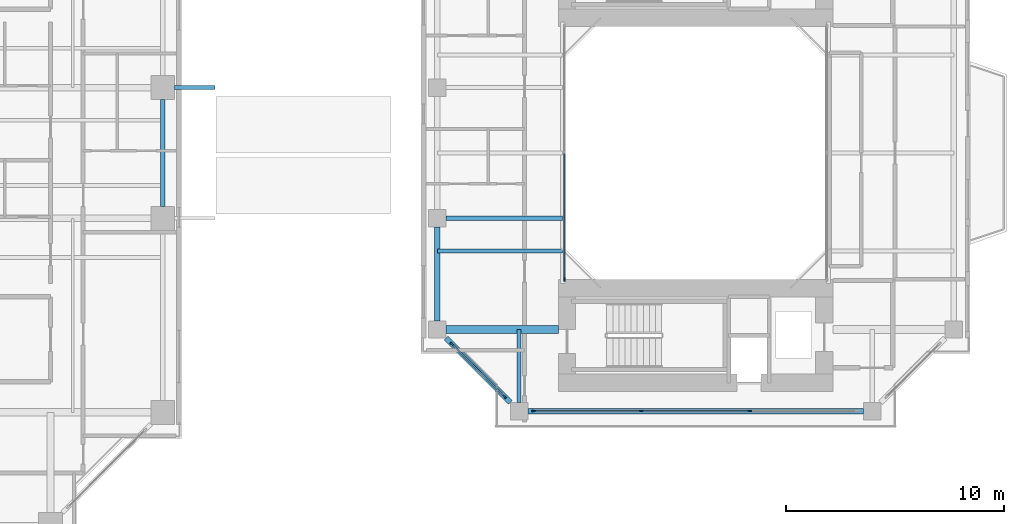
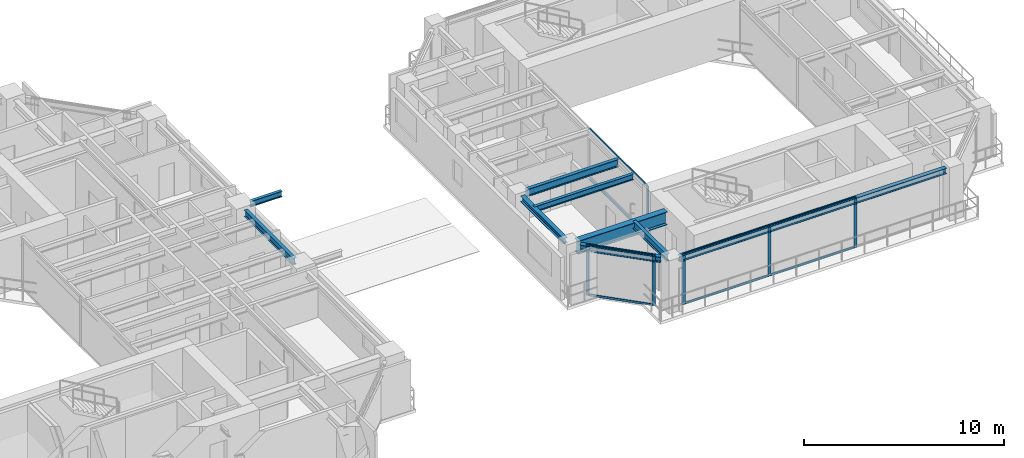
# One storey, part 7 of 23: 14 members, 9 beams, 3 elements without a shape of their own.
"""IFC4 building model written with IfcOpenShell, lengths in metres."""

from ifc_helpers import new_model, si_unit, direction, frame, origin, origin_2d, place, context, subcontext, project, spatial, rectangle, i_section, extrude, source, transform, mapped, material, layer, layer_set, material_profile, profile_set, type_object, element, aggregate, save


model = new_model("IFC4")

# Units and contexts
model_context = context("Model", 3, precision=1e-05, world=origin(), true_north=direction((0.0, 1.0)))
body_context = subcontext(model_context, "Body", "Model", "MODEL_VIEW")
ifc_project = project(units=[si_unit("LENGTHUNIT", "METRE"), si_unit("AREAUNIT", "SQUARE_METRE"), si_unit("VOLUMEUNIT", "CUBIC_METRE"), si_unit("PLANEANGLEUNIT", "RADIAN"), si_unit("MASSUNIT", "GRAM", prefix="KILO"), si_unit("THERMODYNAMICTEMPERATUREUNIT", "KELVIN"), si_unit("POWERUNIT", "WATT")], contexts=[model_context])

# Site, building, storey
site_placement = place(None, origin())
site = spatial("IfcSite", under=ifc_project, at=site_placement, CompositionType="ELEMENT")
building_placement = place(site_placement, origin())
building = spatial("IfcBuilding", under=site, at=building_placement, Name="Qiaomeng Ring Towers", CompositionType="ELEMENT")
storey_placement = place(building_placement, frame((0.0, 0.0, 97.0)))
storey = spatial("IfcBuildingStorey", under=building, at=storey_placement, Name="L27", CompositionType="ELEMENT", Elevation=97.0)

# Beams
ifc_material_1 = material(Name="Steel Q355B", Category="steel")
ifc_material_profile_1 = material_profile(ifc_material_1, i_section(OverallWidth=0.25, OverallDepth=0.340087890625, WebThickness=0.009033203125, FlangeThickness=0.013916015625, FilletRadius=0.02001953125, at=origin_2d()), Name="HM 340x250x9x14")
ifc_profile_set_1 = profile_set([ifc_material_profile_1], Name="Steel Q355B")
beam_type_1 = type_object("IfcBeamType", Name="STR-BM-HM340", PredefinedType="SPANDREL", material=ifc_profile_set_1)
shared_shape_1 = source(origin(), body_context, "Body", "SweptSolid", [
    extrude(i_section(OverallWidth=0.25, OverallDepth=0.340087890625, WebThickness=0.009033203125, FlangeThickness=0.013916015625, FilletRadius=0.02001953125, at=origin_2d()), origin(), (0.0, 0.0, 1.0), 15.40185546875),
])
beam_1_placement = place(storey_placement, frame((52.799072265625, 11.14990234375, 2.89990234375), z_axis=(1.0, 0.0, 0.0), x_axis=(0.0, 1.0, 0.0)))
element("IfcBeam", 1, at=beam_1_placement, inside=storey, type_object=beam_type_1, Name="L27 beam STR-SP-L27-T2-S1-S2", PredefinedType="SPANDREL", context=body_context, shape_type="MappedRepresentation", body=[
    mapped(shared_shape_1, transform((0.0, 0.0, 0.0), x_axis=(1.0, 0.0, 0.0), y_axis=(0.0, 1.0, 0.0), z_axis=(0.0, 0.0, 1.0), scale=1.0)),
])
shared_shape_2 = source(origin(), body_context, "Body", "SweptSolid", [
    extrude(i_section(OverallWidth=0.25, OverallDepth=0.340087890625, WebThickness=0.009033203125, FlangeThickness=0.013916015625, FilletRadius=0.02001953125, at=origin_2d()), origin(), (0.0, 0.0, 1.0), 4.173828125),
])
beam_2_placement = place(storey_placement, frame((49.04931640625, 14.500732421875, 2.89990234375), z_axis=(0.707106781187, -0.707106781187, 0.0), x_axis=(0.707106781187, 0.707106781187, 0.0)))
element("IfcBeam", 2, at=beam_2_placement, inside=storey, type_object=beam_type_1, Name="L27 beam STR-SP-L27-T2-W1-S1", PredefinedType="SPANDREL", context=body_context, shape_type="MappedRepresentation", body=[
    mapped(shared_shape_2, transform((0.0, 0.0, 0.0), x_axis=(1.0, 0.0, 0.0), y_axis=(0.0, 1.0, 0.0), z_axis=(0.0, 0.0, 1.0), scale=1.0)),
])
shared_shape_3 = source(origin(), body_context, "Body", "SweptSolid", [
    extrude(i_section(OverallWidth=0.25, OverallDepth=0.340087890625, WebThickness=0.009033203125, FlangeThickness=0.013916015625, FilletRadius=0.02001953125, at=origin_2d()), origin(), (0.0, 0.0, 1.0), 4.302001953125),
])
beam_3_placement = place(storey_placement, frame((48.64990234375, 19.60107421875, 2.89990234375), z_axis=(0.0, -1.0, 0.0), x_axis=(1.0, 0.0, 0.0)))
element("IfcBeam", 3, at=beam_3_placement, inside=storey, type_object=beam_type_1, Name="L27 beam STR-SP-L27-T2-W2-W1", PredefinedType="SPANDREL", context=body_context, shape_type="MappedRepresentation", body=[
    mapped(shared_shape_3, transform((0.0, 0.0, 0.0), x_axis=(1.0, 0.0, 0.0), y_axis=(0.0, 1.0, 0.0), z_axis=(0.0, 0.0, 1.0), scale=1.0)),
])
ifc_material_2 = material(Name="Steel Q390GJC", Category="steel")
ifc_material_profile_2 = material_profile(ifc_material_2, i_section(OverallWidth=0.35009765625, OverallDepth=0.800048828125, WebThickness=0.01611328125, FlangeThickness=0.028076171875, at=origin_2d()), Name="WH 800x350x16x28")
ifc_profile_set_2 = profile_set([ifc_material_profile_2], Name="Steel Q390GJC")
beam_type_2 = type_object("IfcBeamType", Name="STR-BM-WH800", PredefinedType="BEAM", material=ifc_profile_set_2)
shared_shape_4 = source(origin(), body_context, "Body", "SweptSolid", [
    extrude(i_section(OverallWidth=0.35009765625, OverallDepth=0.800048828125, WebThickness=0.01611328125, FlangeThickness=0.028076171875, at=origin_2d()), origin(), (0.0, 0.0, 1.0), 5.15087890625),
])
beam_4_placement = place(storey_placement, frame((49.049072265625, 14.89990234375, 2.669921875), z_axis=(1.0, 0.0, 0.0), x_axis=(0.0, 1.0, 0.0)))
element("IfcBeam", 4, at=beam_4_placement, inside=storey, type_object=beam_type_2, Name="L27 beam STR-BM-L27-T2-RAD-W1", PredefinedType="BEAM", context=body_context, shape_type="MappedRepresentation", body=[
    mapped(shared_shape_4, transform((0.0, 0.0, 0.0), x_axis=(1.0, 0.0, 0.0), y_axis=(0.0, 1.0, 0.0), z_axis=(0.0, 0.0, 1.0), scale=1.0)),
])
ifc_material_profile_3 = material_profile(ifc_material_1, i_section(OverallWidth=0.199951171875, OverallDepth=0.449951171875, WebThickness=0.009033203125, FlangeThickness=0.013916015625, FilletRadius=0.01806640625, at=origin_2d()), Name="HN 450x200x9x14")
ifc_profile_set_3 = profile_set([ifc_material_profile_3], Name="Steel Q355B")
beam_type_3 = type_object("IfcBeamType", Name="STR-BM-HN450", PredefinedType="SPANDREL", material=ifc_profile_set_3)
shared_shape_5 = source(origin(), body_context, "Body", "SweptSolid", [
    extrude(i_section(OverallWidth=0.199951171875, OverallDepth=0.449951171875, WebThickness=0.009033203125, FlangeThickness=0.013916015625, FilletRadius=0.01806640625, at=origin_2d()), origin(), (0.0, 0.0, 1.0), 5.350830078125),
])
beam_5_placement = place(storey_placement, frame((49.049072265625, 20.0, 2.844970703125), z_axis=(1.0, 0.0, 0.0), x_axis=(0.0, 1.0, 0.0)))
element("IfcBeam", 5, at=beam_5_placement, inside=storey, type_object=beam_type_3, Name="L27 beam STR-BM-L27-T2-RAD-W2", PredefinedType="SPANDREL", context=body_context, shape_type="MappedRepresentation", body=[
    mapped(shared_shape_5, transform((0.0, 0.0, 0.0), x_axis=(1.0, 0.0, 0.0), y_axis=(0.0, 1.0, 0.0), z_axis=(0.0, 0.0, 1.0), scale=1.0)),
])
shared_shape_6 = source(origin(), body_context, "Body", "SweptSolid", [
    extrude(i_section(OverallWidth=0.199951171875, OverallDepth=0.449951171875, WebThickness=0.009033203125, FlangeThickness=0.013916015625, FilletRadius=0.01806640625, at=origin_2d()), origin(), (0.0, 0.0, 1.0), 3.350830078125),
])
beam_6_placement = place(storey_placement, frame((52.39990234375, 11.549072265625, 2.844970703125), z_axis=(0.0, 1.0, 0.0), x_axis=(-1.0, 0.0, 0.0)))
element("IfcBeam", 6, at=beam_6_placement, inside=storey, type_object=beam_type_3, Name="L27 beam STR-BM-L27-T2-RAD-S1", PredefinedType="SPANDREL", context=body_context, shape_type="MappedRepresentation", body=[
    mapped(shared_shape_6, transform((0.0, 0.0, 0.0), x_axis=(1.0, 0.0, 0.0), y_axis=(0.0, 1.0, 0.0), z_axis=(0.0, 0.0, 1.0), scale=1.0)),
])
ifc_material_profile_4 = material_profile(ifc_material_1, i_section(OverallWidth=0.175048828125, OverallDepth=0.35009765625, WebThickness=0.007080078125, FlangeThickness=0.010986328125, FilletRadius=0.013916015625, at=origin_2d()), Name="HN 350x175x7x11")
ifc_profile_set_4 = profile_set([ifc_material_profile_4], Name="Steel Q355B")
beam_type_4 = type_object("IfcBeamType", Name="STR-BM-HN350", PredefinedType="JOIST", material=ifc_profile_set_4)
shared_shape_7 = source(origin(), body_context, "Body", "SweptSolid", [
    extrude(i_section(OverallWidth=0.175048828125, OverallDepth=0.35009765625, WebThickness=0.007080078125, FlangeThickness=0.010986328125, FilletRadius=0.013916015625, at=origin_2d()), origin(), (0.0, 0.0, 1.0), 5.75),
])
beam_7_placement = place(storey_placement, frame((48.64990234375, 18.5, 2.89501953125), z_axis=(1.0, 0.0, 0.0), x_axis=(0.0, 1.0, 0.0)))
element("IfcBeam", 7, at=beam_7_placement, inside=storey, type_object=beam_type_4, Name="L27 beam STR-JST-L27-T2W-1", PredefinedType="JOIST", context=body_context, shape_type="MappedRepresentation", body=[
    mapped(shared_shape_7, transform((0.0, 0.0, 0.0), x_axis=(1.0, 0.0, 0.0), y_axis=(0.0, 1.0, 0.0), z_axis=(0.0, 0.0, 1.0), scale=1.0)),
])
ifc_material_profile_5 = material_profile(ifc_material_1, i_section(OverallWidth=0.199951171875, OverallDepth=0.39990234375, WebThickness=0.008056640625, FlangeThickness=0.012939453125, FilletRadius=0.01611328125, at=origin_2d()), Name="HN 400x200x8x13")
ifc_profile_set_5 = profile_set([ifc_material_profile_5], Name="Steel Q355B")
beam_type_5 = type_object("IfcBeamType", Name="STR-BM-HN400", PredefinedType="SPANDREL", material=ifc_profile_set_5)
shared_shape_8 = source(origin(), body_context, "Body", "SweptSolid", [
    extrude(i_section(OverallWidth=0.199951171875, OverallDepth=0.39990234375, WebThickness=0.008056640625, FlangeThickness=0.012939453125, FilletRadius=0.01611328125, at=origin_2d()), origin(), (0.0, 0.0, 1.0), 4.90185546875),
])
beam_8_placement = place(storey_placement, frame((36.050048828125, 20.549072265625, 2.8701171875), z_axis=(0.0, 1.0, 0.0), x_axis=(-1.0, 0.0, 0.0)))
element("IfcBeam", 8, at=beam_8_placement, inside=storey, type_object=beam_type_5, Name="L27 beam STR-SP-L27-T1-E2-E3", PredefinedType="SPANDREL", context=body_context, shape_type="MappedRepresentation", body=[
    mapped(shared_shape_8, transform((0.0, 0.0, 0.0), x_axis=(1.0, 0.0, 0.0), y_axis=(0.0, 1.0, 0.0), z_axis=(0.0, 0.0, 1.0), scale=1.0)),
])
shared_shape_9 = source(origin(), body_context, "Body", "SweptSolid", [
    extrude(i_section(OverallWidth=0.175048828125, OverallDepth=0.35009765625, WebThickness=0.007080078125, FlangeThickness=0.010986328125, FilletRadius=0.013916015625, at=origin_2d()), origin(), (0.0, 0.0, 1.0), 1.8408203125),
])
beam_9_placement = place(storey_placement, frame((36.59912109375, 26.0, 2.89501953125), z_axis=(1.0, 0.0, 0.0), x_axis=(0.0, 1.0, 0.0)))
element("IfcBeam", 9, at=beam_9_placement, inside=storey, type_object=beam_type_4, Name="L27 beam STR-BALBM-L27-E3", PredefinedType="JOIST", context=body_context, shape_type="MappedRepresentation", body=[
    mapped(shared_shape_9, transform((0.0, 0.0, 0.0), x_axis=(1.0, 0.0, 0.0), y_axis=(0.0, 1.0, 0.0), z_axis=(0.0, 0.0, 1.0), scale=1.0)),
])

# Curtain wall, members
ifc_material_3 = material(Name="Fluorocarbon dark-grey aluminium", Category="aluminium")
ifc_layer_1 = layer(ifc_material_3, 0.139892578125, Name="Fluorocarbon dark-grey aluminium")
ifc_layer_set_1 = layer_set([ifc_layer_1], Name="Fluorocarbon dark-grey aluminium")
curtain_wall_type_1 = type_object("IfcCurtainWallType", Name="ARC-CW-4", PredefinedType="NOTDEFINED", material=ifc_layer_set_1)
curtain_wall_1_placement = place(storey_placement, origin())
curtain_wall_1 = element("IfcCurtainWall", 10, at=curtain_wall_1_placement, inside=storey, type_object=curtain_wall_type_1, Name="L27 Curtain Wall CW4", PredefinedType="NOTDEFINED")
ifc_material_profile_6 = material_profile(ifc_material_3, rectangle(XDim=0.06494140625, YDim=0.159912109375, at=origin_2d()), Name="ALU MULL 65x160")
ifc_profile_set_6 = profile_set([ifc_material_profile_6], Name="Fluorocarbon dark-grey aluminium")
member_type_1 = type_object("IfcMemberType", Name="ARC-CWM-140", PredefinedType="MULLION", material=ifc_profile_set_6)
shared_shape_10 = source(origin(), body_context, "Body", "SweptSolid", [
    extrude(rectangle(XDim=0.06494140625, YDim=0.159912109375, at=origin_2d()), origin(), (0.0, 0.0, 1.0), 3.070068359375),
])
member_1_placement = place(storey_placement, frame((54.47998046875, 17.1826171875, 0.0), z_axis=(0.0, 0.0, 1.0), x_axis=(-1.0, 0.0, 0.0)))
member_1 = element("IfcMember", 11, at=member_1_placement, type_object=member_type_1, Name="CW4 mullion 1", PredefinedType="MULLION", context=body_context, shape_type="MappedRepresentation", body=[
    mapped(shared_shape_10, transform((0.0, 0.0, 0.0), x_axis=(1.0, 0.0, 0.0), y_axis=(0.0, 1.0, 0.0), z_axis=(0.0, 0.0, 1.0), scale=1.0)),
])
ifc_material_profile_7 = material_profile(ifc_material_3, rectangle(XDim=0.06494140625, YDim=0.1298828125, at=origin_2d()), Name="ALU TRAN 65x130")
ifc_profile_set_7 = profile_set([ifc_material_profile_7], Name="Fluorocarbon dark-grey aluminium")
member_type_2 = type_object("IfcMemberType", Name="ARC-CWT-120", PredefinedType="USERDEFINED", material=ifc_profile_set_7)
shared_shape_11 = source(origin(), body_context, "Body", "SweptSolid", [
    extrude(rectangle(XDim=0.06494140625, YDim=0.1298828125, at=origin_2d()), origin(), (0.0, 0.0, 1.0), 5.75244140625),
])
member_2_placement = place(storey_placement, frame((54.47998046875, 17.215087890625, 0.032470703125), z_axis=(0.0, 1.0, 0.0), x_axis=(-1.0, 0.0, 0.0)))
member_2 = element("IfcMember", 12, at=member_2_placement, type_object=member_type_2, Name="CW4 transom 1.1", ObjectType="TRANSOM", PredefinedType="USERDEFINED", context=body_context, shape_type="MappedRepresentation", body=[
    mapped(shared_shape_11, transform((0.0, 0.0, 0.0), x_axis=(1.0, 0.0, 0.0), y_axis=(0.0, 1.0, 0.0), z_axis=(0.0, 0.0, 1.0), scale=1.0)),
])
member_3_placement = place(storey_placement, frame((54.47998046875, 17.215087890625, 3.03759765625), z_axis=(0.0, 1.0, 0.0), x_axis=(-1.0, 0.0, 0.0)))
member_3 = element("IfcMember", 13, at=member_3_placement, type_object=member_type_2, Name="CW4 transom 1.2", ObjectType="TRANSOM", PredefinedType="USERDEFINED", context=body_context, shape_type="MappedRepresentation", body=[
    mapped(shared_shape_11, transform((0.0, 0.0, 0.0), x_axis=(1.0, 0.0, 0.0), y_axis=(0.0, 1.0, 0.0), z_axis=(0.0, 0.0, 1.0), scale=1.0)),
])
aggregate(curtain_wall_1, [member_1, member_2, member_3])

ifc_layer_2 = layer(ifc_material_3, 0.14990234375, Name="Fluorocarbon dark-grey aluminium")
ifc_layer_set_2 = layer_set([ifc_layer_2], Name="Fluorocarbon dark-grey aluminium")
curtain_wall_type_2 = type_object("IfcCurtainWallType", Name="ARC-CW-5", PredefinedType="NOTDEFINED", material=ifc_layer_set_2)
curtain_wall_2_placement = place(storey_placement, origin())
curtain_wall_2 = element("IfcCurtainWall", 14, at=curtain_wall_2_placement, inside=storey, type_object=curtain_wall_type_2, Name="L27 Curtain Wall CW5", PredefinedType="NOTDEFINED")
ifc_material_profile_8 = material_profile(ifc_material_3, rectangle(XDim=0.070068359375, YDim=0.179931640625, at=origin_2d()), Name="ALU MULL 70x180")
ifc_profile_set_8 = profile_set([ifc_material_profile_8], Name="Fluorocarbon dark-grey aluminium")
member_type_3 = type_object("IfcMemberType", Name="ARC-CWM-160", PredefinedType="MULLION", material=ifc_profile_set_8)
shared_shape_12 = source(origin(), body_context, "Body", "SweptSolid", [
    extrude(rectangle(XDim=0.070068359375, YDim=0.179931640625, at=origin_2d()), origin(), (0.0, 0.0, 1.0), 3.070068359375),
])
member_4_placement = place(storey_placement, frame((49.314697265625, 14.2353515625, 0.0), z_axis=(0.0, 0.0, 1.0), x_axis=(0.707106781187, 0.707106781187, 0.0)))
member_4 = element("IfcMember", 15, at=member_4_placement, type_object=member_type_3, Name="CW5 mullion 1", PredefinedType="MULLION", context=body_context, shape_type="MappedRepresentation", body=[
    mapped(shared_shape_12, transform((0.0, 0.0, 0.0), x_axis=(1.0, 0.0, 0.0), y_axis=(0.0, 1.0, 0.0), z_axis=(0.0, 0.0, 1.0), scale=1.0)),
])
member_5_placement = place(storey_placement, frame((51.7353515625, 11.814697265625, 0.0), z_axis=(0.0, 0.0, 1.0), x_axis=(0.707106781187, 0.707106781187, 0.0)))
member_5 = element("IfcMember", 16, at=member_5_placement, type_object=member_type_3, Name="CW5 mullion 2", PredefinedType="MULLION", context=body_context, shape_type="MappedRepresentation", body=[
    mapped(shared_shape_12, transform((0.0, 0.0, 0.0), x_axis=(1.0, 0.0, 0.0), y_axis=(0.0, 1.0, 0.0), z_axis=(0.0, 0.0, 1.0), scale=1.0)),
])

curtain_wall_3_placement = place(storey_placement, origin())
curtain_wall_3 = element("IfcCurtainWall", 17, at=curtain_wall_3_placement, inside=storey, type_object=curtain_wall_type_2, Name="L27 Curtain Wall CW5", PredefinedType="NOTDEFINED")
member_6_placement = place(storey_placement, frame((53.074951171875, 11.14990234375, 0.0), z_axis=(0.0, 0.0, 1.0), x_axis=(0.0, 1.0, 0.0)))
member_6 = element("IfcMember", 18, at=member_6_placement, type_object=member_type_3, Name="CW5 mullion 1", PredefinedType="MULLION", context=body_context, shape_type="MappedRepresentation", body=[
    mapped(shared_shape_12, transform((0.0, 0.0, 0.0), x_axis=(1.0, 0.0, 0.0), y_axis=(0.0, 1.0, 0.0), z_axis=(0.0, 0.0, 1.0), scale=1.0)),
])
member_7_placement = place(storey_placement, frame((58.013427734375, 11.14990234375, 0.0), z_axis=(0.0, 0.0, 1.0), x_axis=(0.0, 1.0, 0.0)))
member_7 = element("IfcMember", 19, at=member_7_placement, type_object=member_type_3, Name="CW5 mullion 2", PredefinedType="MULLION", context=body_context, shape_type="MappedRepresentation", body=[
    mapped(shared_shape_12, transform((0.0, 0.0, 0.0), x_axis=(1.0, 0.0, 0.0), y_axis=(0.0, 1.0, 0.0), z_axis=(0.0, 0.0, 1.0), scale=1.0)),
])
member_8_placement = place(storey_placement, frame((62.986572265625, 11.14990234375, 0.0), z_axis=(0.0, 0.0, 1.0), x_axis=(0.0, 1.0, 0.0)))
member_8 = element("IfcMember", 20, at=member_8_placement, type_object=member_type_3, Name="CW5 mullion 3", PredefinedType="MULLION", context=body_context, shape_type="MappedRepresentation", body=[
    mapped(shared_shape_12, transform((0.0, 0.0, 0.0), x_axis=(1.0, 0.0, 0.0), y_axis=(0.0, 1.0, 0.0), z_axis=(0.0, 0.0, 1.0), scale=1.0)),
])
shared_shape_13 = source(origin(), body_context, "Body", "SweptSolid", [
    extrude(rectangle(XDim=0.06494140625, YDim=0.1298828125, at=origin_2d()), origin(), (0.0, 0.0, 1.0), 4.8681640625),
])
member_9_placement = place(storey_placement, frame((53.110107421875, 11.14990234375, 0.032470703125), z_axis=(1.0, 0.0, 0.0), x_axis=(0.0, 1.0, 0.0)))
member_9 = element("IfcMember", 21, at=member_9_placement, type_object=member_type_2, Name="CW5 transom 1.1", ObjectType="TRANSOM", PredefinedType="USERDEFINED", context=body_context, shape_type="MappedRepresentation", body=[
    mapped(shared_shape_13, transform((0.0, 0.0, 0.0), x_axis=(1.0, 0.0, 0.0), y_axis=(0.0, 1.0, 0.0), z_axis=(0.0, 0.0, 1.0), scale=1.0)),
])
member_10_placement = place(storey_placement, frame((53.110107421875, 11.14990234375, 3.03759765625), z_axis=(1.0, 0.0, 0.0), x_axis=(0.0, 1.0, 0.0)))
member_10 = element("IfcMember", 22, at=member_10_placement, type_object=member_type_2, Name="CW5 transom 1.2", ObjectType="TRANSOM", PredefinedType="USERDEFINED", context=body_context, shape_type="MappedRepresentation", body=[
    mapped(shared_shape_13, transform((0.0, 0.0, 0.0), x_axis=(1.0, 0.0, 0.0), y_axis=(0.0, 1.0, 0.0), z_axis=(0.0, 0.0, 1.0), scale=1.0)),
])
shared_shape_14 = source(origin(), body_context, "Body", "SweptSolid", [
    extrude(rectangle(XDim=0.06494140625, YDim=0.1298828125, at=origin_2d()), origin(), (0.0, 0.0, 1.0), 4.9033203125),
])
member_11_placement = place(storey_placement, frame((58.04833984375, 11.14990234375, 0.032470703125), z_axis=(1.0, 0.0, 0.0), x_axis=(0.0, 1.0, 0.0)))
member_11 = element("IfcMember", 23, at=member_11_placement, type_object=member_type_2, Name="CW5 transom 2.1", ObjectType="TRANSOM", PredefinedType="USERDEFINED", context=body_context, shape_type="MappedRepresentation", body=[
    mapped(shared_shape_14, transform((0.0, 0.0, 0.0), x_axis=(1.0, 0.0, 0.0), y_axis=(0.0, 1.0, 0.0), z_axis=(0.0, 0.0, 1.0), scale=1.0)),
])
member_12_placement = place(storey_placement, frame((58.04833984375, 11.14990234375, 3.03759765625), z_axis=(1.0, 0.0, 0.0), x_axis=(0.0, 1.0, 0.0)))
member_12 = element("IfcMember", 24, at=member_12_placement, type_object=member_type_2, Name="CW5 transom 2.2", ObjectType="TRANSOM", PredefinedType="USERDEFINED", context=body_context, shape_type="MappedRepresentation", body=[
    mapped(shared_shape_14, transform((0.0, 0.0, 0.0), x_axis=(1.0, 0.0, 0.0), y_axis=(0.0, 1.0, 0.0), z_axis=(0.0, 0.0, 1.0), scale=1.0)),
])
aggregate(curtain_wall_3, [member_6, member_7, member_8, member_9, member_10, member_11, member_12])

# Member
shared_shape_15 = source(origin(), body_context, "Body", "SweptSolid", [
    extrude(rectangle(XDim=0.06494140625, YDim=0.1298828125, at=origin_2d()), origin(), (0.0, 0.0, 1.0), 3.352783203125),
])
member_13_placement = place(storey_placement, frame((49.339599609375, 14.21044921875, 0.032470703125), z_axis=(0.707106781187, -0.707106781187, 0.0), x_axis=(0.707106781187, 0.707106781187, 0.0)))
member_13 = element("IfcMember", 25, at=member_13_placement, type_object=member_type_2, Name="CW5 transom 1.1", ObjectType="TRANSOM", PredefinedType="USERDEFINED", context=body_context, shape_type="MappedRepresentation", body=[
    mapped(shared_shape_15, transform((0.0, 0.0, 0.0), x_axis=(1.0, 0.0, 0.0), y_axis=(0.0, 1.0, 0.0), z_axis=(0.0, 0.0, 1.0), scale=1.0)),
])

member_14_placement = place(storey_placement, frame((49.339599609375, 14.21044921875, 3.03759765625), z_axis=(0.707106781187, -0.707106781187, 0.0), x_axis=(0.707106781187, 0.707106781187, 0.0)))
member_14 = element("IfcMember", 26, at=member_14_placement, type_object=member_type_2, Name="CW5 transom 1.2", ObjectType="TRANSOM", PredefinedType="USERDEFINED", context=body_context, shape_type="MappedRepresentation", body=[
    mapped(shared_shape_15, transform((0.0, 0.0, 0.0), x_axis=(1.0, 0.0, 0.0), y_axis=(0.0, 1.0, 0.0), z_axis=(0.0, 0.0, 1.0), scale=1.0)),
])

aggregate(curtain_wall_2, [member_4, member_5, member_13, member_14])

save(model, "model.ifc")
